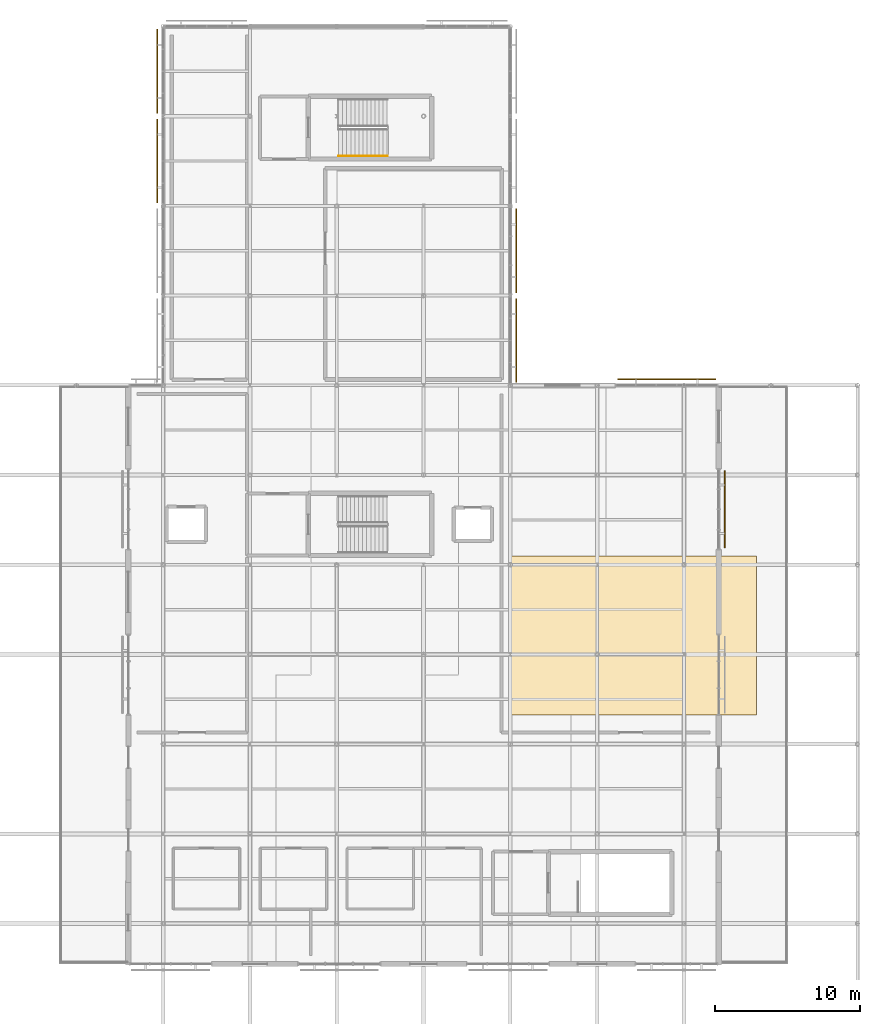
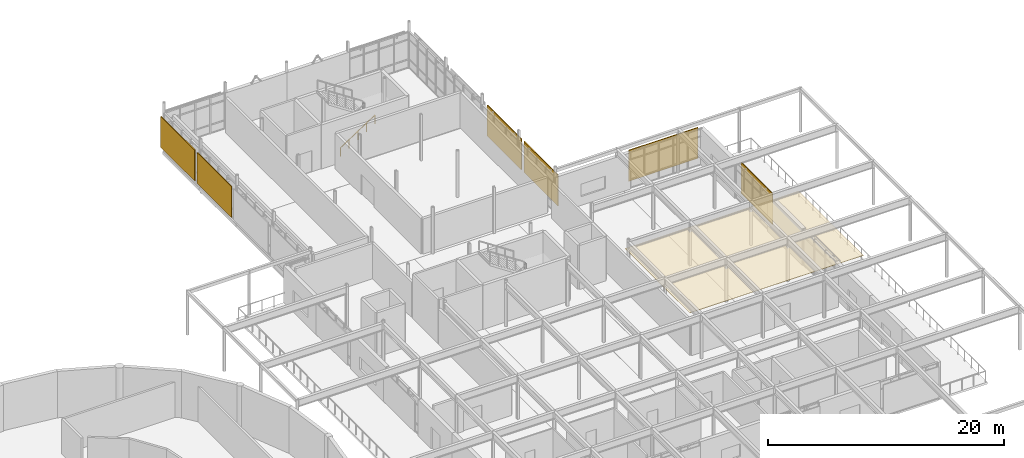
# One storey, part 47 of 48: 6 shading devices, 1 covering, 1 railing.
"""IFC4 building model written with IfcOpenShell, lengths in metres."""

from ifc_helpers import new_model, si_unit, direction, frame, origin, origin_2d, place, context, subcontext, project, spatial, polyline, rectangle, circle, outline, extrude, material, layer, layer_set, type_object, element, save


model = new_model("IFC4")

# Units and contexts
model_context = context("Model", 3, precision=1e-05, world=origin(), true_north=direction((0.0, 1.0)))
body_context = subcontext(model_context, "Body", "Model", "MODEL_VIEW")
ifc_project = project(units=[si_unit("LENGTHUNIT", "METRE"), si_unit("AREAUNIT", "SQUARE_METRE"), si_unit("VOLUMEUNIT", "CUBIC_METRE"), si_unit("PLANEANGLEUNIT", "RADIAN"), si_unit("MASSUNIT", "GRAM", prefix="KILO")], contexts=[model_context])

# Site, building, storey
site_placement = place(None, origin())
site = spatial("IfcSite", under=ifc_project, at=site_placement, CompositionType="ELEMENT")
building_placement = place(site_placement, origin())
building = spatial("IfcBuilding", under=site, at=building_placement, Name="Mirzam Square Science Centre", CompositionType="ELEMENT")
storey_placement = place(building_placement, frame((0.0, 0.0, 20.39990234375)))
storey = spatial("IfcBuildingStorey", under=building, at=storey_placement, Name="L04", CompositionType="ELEMENT", Elevation=20.39990234375)

# Covering
ifc_material_1 = material(Name="Perforated Mineral-Wool Acoustic Ceiling", Category="gypsum")
ifc_layer_1 = layer(ifc_material_1, 0.0400390625)
ifc_layer_set_1 = layer_set([ifc_layer_1], Name="COV-ACOUST-CEIL")
covering_type = type_object("IfcCoveringType", Name="COV-ACOUST-CEIL", PredefinedType="CEILING", material=ifc_layer_set_1)
covering_placement = place(storey_placement, frame((0.0, 0.0, 3.41015625)))
element("IfcCovering", 1, at=covering_placement, inside=storey, type_object=covering_type, Name="L04 acoustic ceiling 07", PredefinedType="CEILING", context=body_context, shape_type="SweptSolid", body=[
    extrude(outline(polyline([(138.0, 64.0), (155.0, 64.0), (155.0, 75.0), (138.0, 75.0), (138.0, 64.0)])), origin(), (0.0, 0.0, 1.0), 0.0400390625),
])

# Railing
ifc_material_2 = material(Name="Brushed Bronze Tubular Handrail", Category="aluminium")
railing_type = type_object("IfcRailingType", Name="RL-STAIR-HANDRAIL-900", PredefinedType="HANDRAIL", material=ifc_material_2)
railing_placement = place(storey_placement, frame((126.1298828125, 102.64990234375, 0.38134765625)))
element("IfcRailing", 2, at=railing_placement, inside=storey, type_object=railing_type, Name="L04 ST-11 stair handrail 1", PredefinedType="HANDRAIL", context=body_context, shape_type="SweptSolid", body=[
    extrude(circle(Radius=0.02392578125, at=origin_2d()), frame((0.0, 0.0, 0.8759765625), z_axis=(0.834876476806, 0.0, 0.550437342915), x_axis=(0.0, 1.0, 0.0)), (0.0, 0.0, 1.0), 4.024658203125),
    extrude(circle(Radius=0.02099609375, at=origin_2d()), origin(), (0.0, 0.0, 1.0), 0.851806640625),
    extrude(circle(Radius=0.02099609375, at=origin_2d()), frame((0.840087890625, 0.0, 0.5537109375)), (0.0, 0.0, 1.0), 0.851806640625),
    extrude(circle(Radius=0.02099609375, at=origin_2d()), frame((1.68017578125, 0.0, 1.107666015625)), (0.0, 0.0, 1.0), 0.851806640625),
    extrude(circle(Radius=0.02099609375, at=origin_2d()), frame((2.52001953125, 0.0, 1.66162109375)), (0.0, 0.0, 1.0), 0.851806640625),
    extrude(circle(Radius=0.02099609375, at=origin_2d()), frame((3.360107421875, 0.0, 2.21533203125)), (0.0, 0.0, 1.0), 0.851806640625),
])

# Shading devices
ifc_material_3 = material(Name="Perforated Bronze-Anodised Aluminium Brise-Soleil", Category="aluminium")
ifc_layer_2 = layer(ifc_material_3, 0.080078125)
ifc_layer_set_2 = layer_set([ifc_layer_2], Name="SHD-BRISE-BRONZE")
shading_device_type = type_object("IfcShadingDeviceType", Name="SHD-BRISE-BRONZE", PredefinedType="JALOUSIE", material=ifc_layer_set_2)
shading_device_1_placement = place(storey_placement, frame((152.81005859375, 78.228515625, 0.41015625), z_axis=(0.0, 0.0, 1.0), x_axis=(0.0, 1.0, 0.0)))
element("IfcShadingDevice", 3, at=shading_device_1_placement, inside=storey, type_object=shading_device_type, Name="L04 bronze brise-soleil screen 141", PredefinedType="JALOUSIE", context=body_context, shape_type="SweptSolid", body=[
    extrude(rectangle(XDim=5.30419921875, YDim=0.080078125, at=origin_2d()), origin(), (0.0, 0.0, 1.0), 3.199951171875),
])
shading_device_2_placement = place(storey_placement, frame((148.800048828125, 87.2099609375, 0.41015625), z_axis=(0.0, 0.0, 1.0), x_axis=(-1.0, 0.0, 0.0)))
element("IfcShadingDevice", 4, at=shading_device_2_placement, inside=storey, type_object=shading_device_type, Name="L04 bronze brise-soleil screen 142", PredefinedType="JALOUSIE", context=body_context, shape_type="SweptSolid", body=[
    extrude(rectangle(XDim=6.7900390625, YDim=0.080078125, at=origin_2d()), origin(), (0.0, 0.0, 1.0), 3.199951171875),
])
for number, where, z_axis, x_axis, name in (
    (5, (138.409912109375, 89.89990234375, 0.41015625), (0.0, 0.0, 1.0), (0.0, 1.0, 0.0), "L04 bronze brise-soleil screen 149"),
    (6, (138.409912109375, 96.10009765625, 0.41015625), (0.0, 0.0, 1.0), (0.0, 1.0, 0.0), "L04 bronze brise-soleil screen 151"),
    (7, (113.590087890625, 102.300048828125, 0.41015625), (0.0, 0.0, 1.0), (0.0, -1.0, 0.0), "L04 bronze brise-soleil screen 152"),
    (8, (113.590087890625, 108.5, 0.41015625), (0.0, 0.0, 1.0), (0.0, -1.0, 0.0), "L04 bronze brise-soleil screen 154"),
):
    element("IfcShadingDevice", number, at=place(storey_placement, frame(where, z_axis=z_axis, x_axis=x_axis)), inside=storey, type_object=shading_device_type, Name=name, PredefinedType="JALOUSIE", context=body_context, shape_type="SweptSolid", body=[
        extrude(rectangle(XDim=5.7900390625, YDim=0.080078125, at=origin_2d()), origin(), (0.0, 0.0, 1.0), 3.199951171875),
    ])

save(model, "model.ifc")
